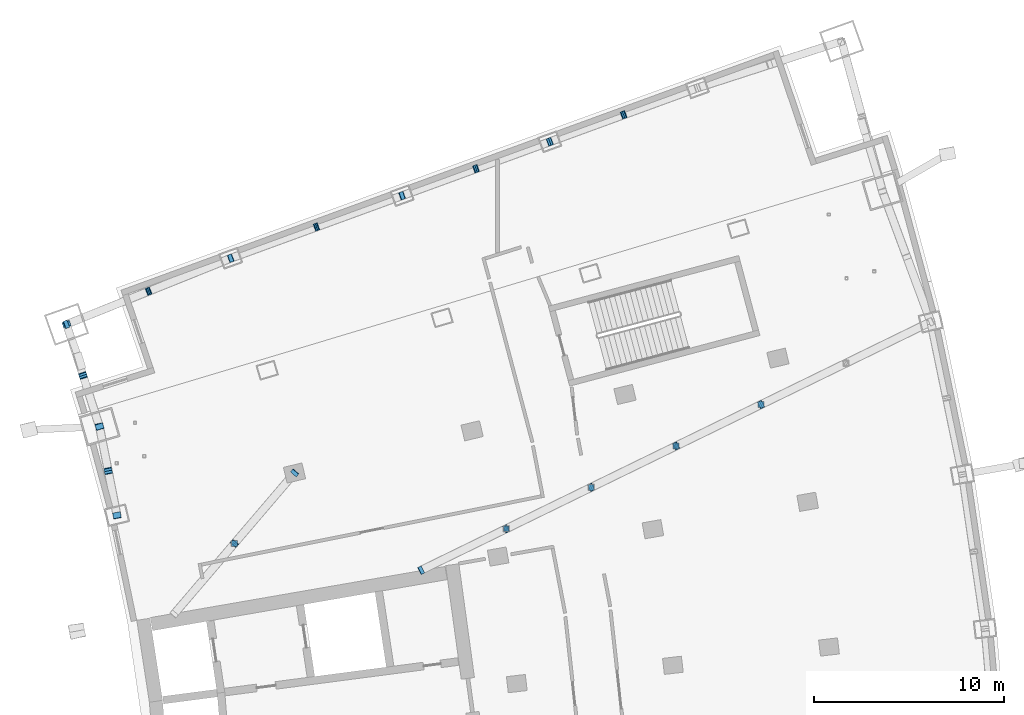
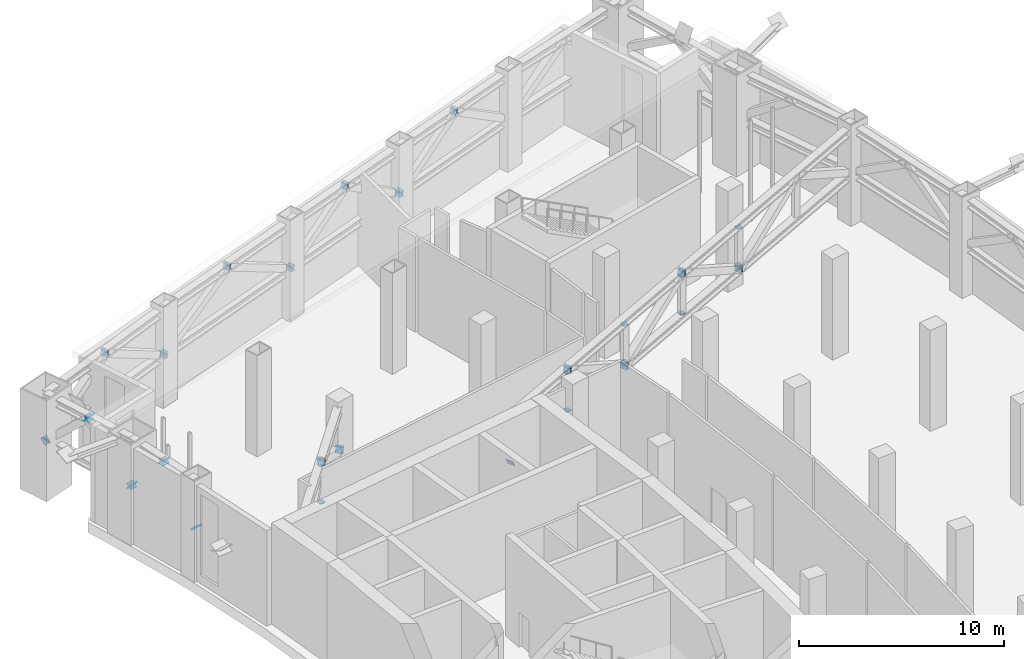
# One storey, part 24 of 26: 45 discrete accessories.
"""IFC4 building model written with IfcOpenShell, lengths in metres."""

from ifc_helpers import new_model, si_unit, direction, frame, origin, origin_2d, place, context, subcontext, project, spatial, rectangle, extrude, material, material_profile, profile_set, type_object, element, save


model = new_model("IFC4")

# Units and contexts
model_context = context("Model", 3, precision=1e-05, world=origin(), true_north=direction((0.0, 1.0)))
body_context = subcontext(model_context, "Body", "Model", "MODEL_VIEW")
ifc_project = project(units=[si_unit("LENGTHUNIT", "METRE"), si_unit("AREAUNIT", "SQUARE_METRE"), si_unit("VOLUMEUNIT", "CUBIC_METRE"), si_unit("PLANEANGLEUNIT", "RADIAN"), si_unit("MASSUNIT", "GRAM", prefix="KILO")], contexts=[model_context])

# Site, building, storey
site_placement = place(None, origin())
site = spatial("IfcSite", under=ifc_project, at=site_placement, CompositionType="ELEMENT")
building_placement = place(site_placement, origin())
building = spatial("IfcBuilding", under=site, at=building_placement, Name="Alderwake Tower", CompositionType="ELEMENT")
storey_placement = place(building_placement, frame((0.0, 0.0, 132.800048828125)))
storey = spatial("IfcBuildingStorey", under=building, at=storey_placement, Name="L32", CompositionType="ELEMENT", Elevation=132.800048828125)

# Discrete accessories
ifc_material_1 = material(Name="Steel ASTM A572 Grade 50", Category="steel")
ifc_material_profile_1 = material_profile(ifc_material_1, rectangle(XDim=0.3046875, YDim=0.3046875, at=origin_2d()), Name="HSS12X12X1/2 cap")
ifc_profile_set_1 = profile_set([ifc_material_profile_1], Name="Steel ASTM A572 Grade 50")
discrete_accessory_type_1 = type_object("IfcDiscreteAccessoryType", Name="End cap plate HSS12X12X1/2", PredefinedType="USERDEFINED", material=ifc_profile_set_1)
for number, where, z_axis, x_axis, name in (
    (1, (20.15869140625, 81.852783203125, 3.0146484375), (0.0, 0.0, -1.0), (1.0, 0.0, 0.0), "End cap OR32NR.P1 S"),
    (2, (20.15869140625, 81.852783203125, 5.21533203125), (0.0, 0.0, 1.0), (1.0, 0.0, 0.0), "End cap OR32NR.P1 N"),
    (3, (34.4599609375, 82.625, 3.0146484375), (0.0, 0.0, -1.0), (1.0, 0.0, 0.0), "End cap OR32NF.P1 S"),
    (4, (34.4599609375, 82.625, 5.21533203125), (0.0, 0.0, 1.0), (1.0, 0.0, 0.0), "End cap OR32NF.P1 N"),
    (5, (38.92578125, 84.802001953125, 3.0146484375), (0.0, 0.0, -1.0), (1.0, 0.0, 0.0), "End cap OR32NF.P2 S"),
    (6, (38.92578125, 84.802001953125, 5.21533203125), (0.0, 0.0, 1.0), (1.0, 0.0, 0.0), "End cap OR32NF.P2 N"),
    (7, (43.391845703125, 86.978759765625, 3.0146484375), (0.0, 0.0, -1.0), (1.0, 0.0, 0.0), "End cap OR32NF.P3 S"),
    (8, (43.391845703125, 86.978759765625, 5.21533203125), (0.0, 0.0, 1.0), (1.0, 0.0, 0.0), "End cap OR32NF.P3 N"),
    (9, (47.85791015625, 89.15576171875, 3.0146484375), (0.0, 0.0, -1.0), (1.0, 0.0, 0.0), "End cap OR32NF.P4 S"),
    (10, (47.85791015625, 89.15576171875, 5.21533203125), (0.0, 0.0, 1.0), (1.0, 0.0, 0.0), "End cap OR32NF.P4 N"),
):
    element("IfcDiscreteAccessory", number, at=place(storey_placement, frame(where, z_axis=z_axis, x_axis=x_axis)), inside=storey, type_object=discrete_accessory_type_1, Name=name, ObjectType="END CAP", PredefinedType="USERDEFINED", context=body_context, shape_type="SweptSolid", body=[
        extrude(rectangle(XDim=0.3046875, YDim=0.3046875, at=origin_2d()), origin(), (0.0, 0.0, 1.0), 0.030029296875),
    ])
ifc_material_2 = material(Name="Steel ASTM A572 Grade 50", Category="steel")
ifc_material_profile_2 = material_profile(ifc_material_2, rectangle(XDim=0.406494140625, YDim=0.406494140625, at=origin_2d()), Name="HSS16X16X5/8 cap")
ifc_profile_set_2 = profile_set([ifc_material_profile_2], Name="Steel ASTM A572 Grade 50")
discrete_accessory_type_2 = type_object("IfcDiscreteAccessoryType", Name="End cap plate HSS16X16X5/8", PredefinedType="USERDEFINED", material=ifc_profile_set_2)
discrete_accessory_1_placement = place(storey_placement, frame((13.982177734375, 83.3359375, 2.7822265625), z_axis=(0.130120009726, -0.650600048632, -0.748190055927), x_axis=(0.980580675691, 0.196116135138, 0.0)))
element("IfcDiscreteAccessory", 11, at=discrete_accessory_1_placement, inside=storey, type_object=discrete_accessory_type_2, Name="End cap BT32R11.D1 S", ObjectType="END CAP", PredefinedType="USERDEFINED", context=body_context, shape_type="SweptSolid", body=[
    extrude(rectangle(XDim=0.406494140625, YDim=0.406494140625, at=origin_2d()), origin(), (0.0, 0.0, 1.0), 0.030029296875),
])
discrete_accessory_2_placement = place(storey_placement, frame((13.522705078125, 85.666748046875, 5.44775390625), z_axis=(-0.130914663015, 0.654573315077, 0.7445771459), x_axis=(-0.980580675691, -0.196116135138, 0.0)))
element("IfcDiscreteAccessory", 12, at=discrete_accessory_2_placement, inside=storey, type_object=discrete_accessory_type_2, Name="End cap BT32R11.D1 N", ObjectType="END CAP", PredefinedType="USERDEFINED", context=body_context, shape_type="SweptSolid", body=[
    extrude(rectangle(XDim=0.406494140625, YDim=0.406494140625, at=origin_2d()), origin(), (0.0, 0.0, 1.0), 0.02978515625),
])
discrete_accessory_3_placement = place(storey_placement, frame((13.06298828125, 87.99755859375, 2.7822265625), z_axis=(-0.130120009726, 0.650600048632, -0.748190055927), x_axis=(-0.980580675691, -0.196116135138, 0.0)))
element("IfcDiscreteAccessory", 13, at=discrete_accessory_3_placement, inside=storey, type_object=discrete_accessory_type_2, Name="End cap BT32R11.D2 S", ObjectType="END CAP", PredefinedType="USERDEFINED", context=body_context, shape_type="SweptSolid", body=[
    extrude(rectangle(XDim=0.406494140625, YDim=0.406494140625, at=origin_2d()), origin(), (0.0, 0.0, 1.0), 0.030029296875),
])
discrete_accessory_4_placement = place(storey_placement, frame((13.522705078125, 85.666748046875, 5.44775390625), z_axis=(0.130914663015, -0.654573315077, 0.7445771459), x_axis=(0.980580675691, 0.196116135138, 0.0)))
element("IfcDiscreteAccessory", 14, at=discrete_accessory_4_placement, inside=storey, type_object=discrete_accessory_type_2, Name="End cap BT32R11.D2 N", ObjectType="END CAP", PredefinedType="USERDEFINED", context=body_context, shape_type="SweptSolid", body=[
    extrude(rectangle(XDim=0.406494140625, YDim=0.406494140625, at=origin_2d()), origin(), (0.0, 0.0, 1.0), 0.02978515625),
])
for number, where, z_axis, x_axis, name in (
    (15, (13.06298828125, 87.99755859375, 2.7822265625), (0.228125305468, -0.692523248743, -0.684375916405), (0.949794781049, 0.312873574934, 0.0), "End cap BT32R12.D1 S"),
    (16, (12.197021484375, 90.6875, 5.44775390625), (-0.228125305468, 0.692523248743, 0.684375916405), (-0.949794781049, -0.312873574934, 0.0), "End cap BT32R12.D1 N"),
    (17, (11.330810546875, 93.377197265625, 2.7822265625), (-0.219135921304, 0.69798849008, -0.681756199613), (-0.954084337507, -0.299538105962, 0.0), "End cap BT32R12.D2 S"),
    (18, (12.197021484375, 90.6875, 5.44775390625), (0.22038062888, -0.693790868697, 0.685628623183), (0.953072925335, 0.302740811577, 0.0), "End cap BT32R12.D2 N"),
    (19, (11.330810546875, 93.377197265625, 2.7822265625), (-0.807175491543, -0.317978223941, -0.497350555395), (0.366524518382, -0.930408392817, 0.0), "End cap BT32E130.D1 S"),
    (20, (15.648193359375, 95.114501953125, 5.44775390625), (0.807175491543, 0.317978223941, 0.497350555395), (-0.366524518382, 0.930408392817, 0.0), "End cap BT32E130.D1 N"),
    (21, (19.965576171875, 96.8515625, 2.7822265625), (0.807175491543, 0.317978223941, -0.497350555395), (-0.366524518382, 0.930408392817, 0.0), "End cap BT32E130.D2 S"),
):
    element("IfcDiscreteAccessory", number, at=place(storey_placement, frame(where, z_axis=z_axis, x_axis=x_axis)), inside=storey, type_object=discrete_accessory_type_2, Name=name, ObjectType="END CAP", PredefinedType="USERDEFINED", context=body_context, shape_type="SweptSolid", body=[
        extrude(rectangle(XDim=0.406494140625, YDim=0.406494140625, at=origin_2d()), origin(), (0.0, 0.0, 1.0), 0.030029296875),
    ])
discrete_accessory_5_placement = place(storey_placement, frame((15.648193359375, 95.114501953125, 5.44775390625), z_axis=(-0.807897833883, -0.323159133553, 0.492817678669), x_axis=(0.371390676354, -0.928476690885, 0.0)))
element("IfcDiscreteAccessory", 22, at=discrete_accessory_5_placement, inside=storey, type_object=discrete_accessory_type_2, Name="End cap BT32E130.D2 N", ObjectType="END CAP", PredefinedType="USERDEFINED", context=body_context, shape_type="SweptSolid", body=[
    extrude(rectangle(XDim=0.406494140625, YDim=0.406494140625, at=origin_2d()), origin(), (0.0, 0.0, 1.0), 0.0302734375),
])
for number, where, z_axis, x_axis, name in (
    (23, (19.965576171875, 96.8515625, 2.7822265625), (-0.820027814375, -0.300406229028, -0.487145236262), (0.34398146721, -0.938976437519, 0.0), "End cap BT32E131.D1 S"),
    (24, (24.474609375, 98.49755859375, 5.44775390625), (0.823263186916, 0.301591464514, 0.48091611909), (-0.34398146721, 0.938976437519, 0.0), "End cap BT32E131.D1 N"),
    (25, (28.983642578125, 100.143310546875, 2.7822265625), (0.820027814375, 0.300406229028, -0.487145236262), (-0.34398146721, 0.938976437519, 0.0), "End cap BT32E131.D2 S"),
    (26, (24.474609375, 98.49755859375, 5.44775390625), (-0.823263186916, -0.301591464514, 0.48091611909), (0.34398146721, -0.938976437519, 0.0), "End cap BT32E131.D2 N"),
    (27, (28.983642578125, 100.143310546875, 2.7822265625), (-0.788774311428, -0.284609287629, -0.544823493461), (0.339406156989, -0.940639920798, 0.0), "End cap BT32E132.D1 S"),
):
    element("IfcDiscreteAccessory", number, at=place(storey_placement, frame(where, z_axis=z_axis, x_axis=x_axis)), inside=storey, type_object=discrete_accessory_type_2, Name=name, ObjectType="END CAP", PredefinedType="USERDEFINED", context=body_context, shape_type="SweptSolid", body=[
        extrude(rectangle(XDim=0.406494140625, YDim=0.406494140625, at=origin_2d()), origin(), (0.0, 0.0, 1.0), 0.030029296875),
    ])
discrete_accessory_6_placement = place(storey_placement, frame((32.866455078125, 101.560791015625, 5.44775390625), z_axis=(0.792265816135, 0.285869108915, 0.539067462525), x_axis=(-0.339406156989, 0.940639920798, 0.0)))
element("IfcDiscreteAccessory", 28, at=discrete_accessory_6_placement, inside=storey, type_object=discrete_accessory_type_2, Name="End cap BT32E132.D1 N", ObjectType="END CAP", PredefinedType="USERDEFINED", context=body_context, shape_type="SweptSolid", body=[
    extrude(rectangle(XDim=0.406494140625, YDim=0.406494140625, at=origin_2d()), origin(), (0.0, 0.0, 1.0), 0.02978515625),
])
for number, where, z_axis, x_axis, name in (
    (29, (36.749267578125, 102.97802734375, 2.7822265625), (0.786929222793, 0.292056206397, -0.543549050795), (-0.347943850259, 0.93751537431, 0.0), "End cap BT32E132.D2 S"),
    (30, (32.866455078125, 101.560791015625, 5.44775390625), (-0.790396175221, -0.293342910391, 0.537795335717), (0.347943850259, -0.93751537431, 0.0), "End cap BT32E132.D2 N"),
    (31, (36.749267578125, 102.97802734375, 2.7822265625), (-0.788774311428, -0.284609287629, -0.544823493461), (0.339406156989, -0.940639920798, 0.0), "End cap BT32E133.D1 S"),
):
    element("IfcDiscreteAccessory", number, at=place(storey_placement, frame(where, z_axis=z_axis, x_axis=x_axis)), inside=storey, type_object=discrete_accessory_type_2, Name=name, ObjectType="END CAP", PredefinedType="USERDEFINED", context=body_context, shape_type="SweptSolid", body=[
        extrude(rectangle(XDim=0.406494140625, YDim=0.406494140625, at=origin_2d()), origin(), (0.0, 0.0, 1.0), 0.030029296875),
    ])
discrete_accessory_7_placement = place(storey_placement, frame((40.632080078125, 104.3955078125, 5.44775390625), z_axis=(0.792265816135, 0.285869108915, 0.539067462525), x_axis=(-0.339406156989, 0.940639920798, 0.0)))
element("IfcDiscreteAccessory", 32, at=discrete_accessory_7_placement, inside=storey, type_object=discrete_accessory_type_2, Name="End cap BT32E133.D1 N", ObjectType="END CAP", PredefinedType="USERDEFINED", context=body_context, shape_type="SweptSolid", body=[
    extrude(rectangle(XDim=0.406494140625, YDim=0.406494140625, at=origin_2d()), origin(), (0.0, 0.0, 1.0), 0.02978515625),
])
for number, where, z_axis, x_axis, name in (
    (33, (40.632080078125, 104.3955078125, 5.44775390625), (-0.790396175221, -0.293342910391, 0.537795335717), (0.347943850259, -0.93751537431, 0.0), "End cap BT32E133.D2 N"),
    (34, (20.15869140625, 81.852783203125, 5.44775390625), (0.569557631324, 0.667196082408, 0.48005571783), (-0.760564502202, 0.649262379928, 0.0), "End cap OR32NR.D1 N"),
):
    element("IfcDiscreteAccessory", number, at=place(storey_placement, frame(where, z_axis=z_axis, x_axis=x_axis)), inside=storey, type_object=discrete_accessory_type_2, Name=name, ObjectType="END CAP", PredefinedType="USERDEFINED", context=body_context, shape_type="SweptSolid", body=[
        extrude(rectangle(XDim=0.406494140625, YDim=0.406494140625, at=origin_2d()), origin(), (0.0, 0.0, 1.0), 0.030029296875),
    ])
discrete_accessory_8_placement = place(storey_placement, frame((23.322021484375, 85.555908203125, 2.7822265625), z_axis=(0.572655813526, 0.662644584223, -0.482667042829), x_axis=(-0.756612936614, 0.653863031642, 0.0)))
element("IfcDiscreteAccessory", 35, at=discrete_accessory_8_placement, inside=storey, type_object=discrete_accessory_type_2, Name="End cap OR32NR.D2 S", ObjectType="END CAP", PredefinedType="USERDEFINED", context=body_context, shape_type="SweptSolid", body=[
    extrude(rectangle(XDim=0.406494140625, YDim=0.406494140625, at=origin_2d()), origin(), (0.0, 0.0, 1.0), 0.02978515625),
])
for number, where, z_axis, x_axis, name in (
    (36, (20.15869140625, 81.852783203125, 5.44775390625), (-0.569557631324, -0.667196082408, 0.48005571783), (0.760564502202, -0.649262379928, 0.0), "End cap OR32NR.D2 N"),
    (37, (29.993896484375, 80.447998046875, 2.7822265625), (-0.789976672146, -0.390916291371, -0.472357185407), (0.443513828814, -0.896267529062, 0.0), "End cap OR32NF.D1 S"),
):
    element("IfcDiscreteAccessory", number, at=place(storey_placement, frame(where, z_axis=z_axis, x_axis=x_axis)), inside=storey, type_object=discrete_accessory_type_2, Name=name, ObjectType="END CAP", PredefinedType="USERDEFINED", context=body_context, shape_type="SweptSolid", body=[
        extrude(rectangle(XDim=0.406494140625, YDim=0.406494140625, at=origin_2d()), origin(), (0.0, 0.0, 1.0), 0.030029296875),
    ])
discrete_accessory_9_placement = place(storey_placement, frame((34.4599609375, 82.625, 5.44775390625), z_axis=(0.792477312619, 0.383983852506, 0.473852413731), x_axis=(-0.436045864409, 0.899924443568, 0.0)))
element("IfcDiscreteAccessory", 38, at=discrete_accessory_9_placement, inside=storey, type_object=discrete_accessory_type_2, Name="End cap OR32NF.D1 N", ObjectType="END CAP", PredefinedType="USERDEFINED", context=body_context, shape_type="SweptSolid", body=[
    extrude(rectangle(XDim=0.406494140625, YDim=0.406494140625, at=origin_2d()), origin(), (0.0, 0.0, 1.0), 0.02978515625),
])
discrete_accessory_10_placement = place(storey_placement, frame((38.92578125, 84.802001953125, 2.7822265625), z_axis=(0.795487040134, 0.381509090676, -0.470798452324), x_axis=(-0.432431931953, 0.901666581519, 0.0)))
element("IfcDiscreteAccessory", 39, at=discrete_accessory_10_placement, inside=storey, type_object=discrete_accessory_type_2, Name="End cap OR32NF.D2 S", ObjectType="END CAP", PredefinedType="USERDEFINED", context=body_context, shape_type="SweptSolid", body=[
    extrude(rectangle(XDim=0.406494140625, YDim=0.406494140625, at=origin_2d()), origin(), (0.0, 0.0, 1.0), 0.030029296875),
])
discrete_accessory_11_placement = place(storey_placement, frame((34.4599609375, 82.625, 5.44775390625), z_axis=(-0.79300900323, -0.388412573011, 0.469331859054), x_axis=(0.43986744881, -0.898062707987, 0.0)))
element("IfcDiscreteAccessory", 40, at=discrete_accessory_11_placement, inside=storey, type_object=discrete_accessory_type_2, Name="End cap OR32NF.D2 N", ObjectType="END CAP", PredefinedType="USERDEFINED", context=body_context, shape_type="SweptSolid", body=[
    extrude(rectangle(XDim=0.406494140625, YDim=0.406494140625, at=origin_2d()), origin(), (0.0, 0.0, 1.0), 0.0302734375),
])
discrete_accessory_12_placement = place(storey_placement, frame((38.92578125, 84.802001953125, 2.7822265625), z_axis=(-0.789976672146, -0.390916291371, -0.472357185407), x_axis=(0.443513828814, -0.896267529062, 0.0)))
element("IfcDiscreteAccessory", 41, at=discrete_accessory_12_placement, inside=storey, type_object=discrete_accessory_type_2, Name="End cap OR32NF.D3 S", ObjectType="END CAP", PredefinedType="USERDEFINED", context=body_context, shape_type="SweptSolid", body=[
    extrude(rectangle(XDim=0.406494140625, YDim=0.406494140625, at=origin_2d()), origin(), (0.0, 0.0, 1.0), 0.030029296875),
])
discrete_accessory_13_placement = place(storey_placement, frame((43.391845703125, 86.978759765625, 5.44775390625), z_axis=(0.79300900323, 0.388412573011, 0.469331859054), x_axis=(-0.43986744881, 0.898062707987, 0.0)))
element("IfcDiscreteAccessory", 42, at=discrete_accessory_13_placement, inside=storey, type_object=discrete_accessory_type_2, Name="End cap OR32NF.D3 N", ObjectType="END CAP", PredefinedType="USERDEFINED", context=body_context, shape_type="SweptSolid", body=[
    extrude(rectangle(XDim=0.406494140625, YDim=0.406494140625, at=origin_2d()), origin(), (0.0, 0.0, 1.0), 0.0302734375),
])
discrete_accessory_14_placement = place(storey_placement, frame((47.85791015625, 89.15576171875, 2.7822265625), z_axis=(0.789976672146, 0.390916291371, -0.472357185407), x_axis=(-0.443513828814, 0.896267529062, 0.0)))
element("IfcDiscreteAccessory", 43, at=discrete_accessory_14_placement, inside=storey, type_object=discrete_accessory_type_2, Name="End cap OR32NF.D4 S", ObjectType="END CAP", PredefinedType="USERDEFINED", context=body_context, shape_type="SweptSolid", body=[
    extrude(rectangle(XDim=0.406494140625, YDim=0.406494140625, at=origin_2d()), origin(), (0.0, 0.0, 1.0), 0.030029296875),
])
discrete_accessory_15_placement = place(storey_placement, frame((43.391845703125, 86.978759765625, 5.44775390625), z_axis=(-0.792477312619, -0.383983852506, 0.473852413731), x_axis=(0.436045864409, -0.899924443568, 0.0)))
element("IfcDiscreteAccessory", 44, at=discrete_accessory_15_placement, inside=storey, type_object=discrete_accessory_type_2, Name="End cap OR32NF.D4 N", ObjectType="END CAP", PredefinedType="USERDEFINED", context=body_context, shape_type="SweptSolid", body=[
    extrude(rectangle(XDim=0.406494140625, YDim=0.406494140625, at=origin_2d()), origin(), (0.0, 0.0, 1.0), 0.02978515625),
])
discrete_accessory_16_placement = place(storey_placement, frame((47.85791015625, 89.15576171875, 2.7822265625), z_axis=(-0.795487040134, -0.381509090676, -0.470798452324), x_axis=(0.432431931953, -0.901666581519, 0.0)))
element("IfcDiscreteAccessory", 45, at=discrete_accessory_16_placement, inside=storey, type_object=discrete_accessory_type_2, Name="End cap OR32NF.D5 S", ObjectType="END CAP", PredefinedType="USERDEFINED", context=body_context, shape_type="SweptSolid", body=[
    extrude(rectangle(XDim=0.406494140625, YDim=0.406494140625, at=origin_2d()), origin(), (0.0, 0.0, 1.0), 0.030029296875),
])

save(model, "model.ifc")
